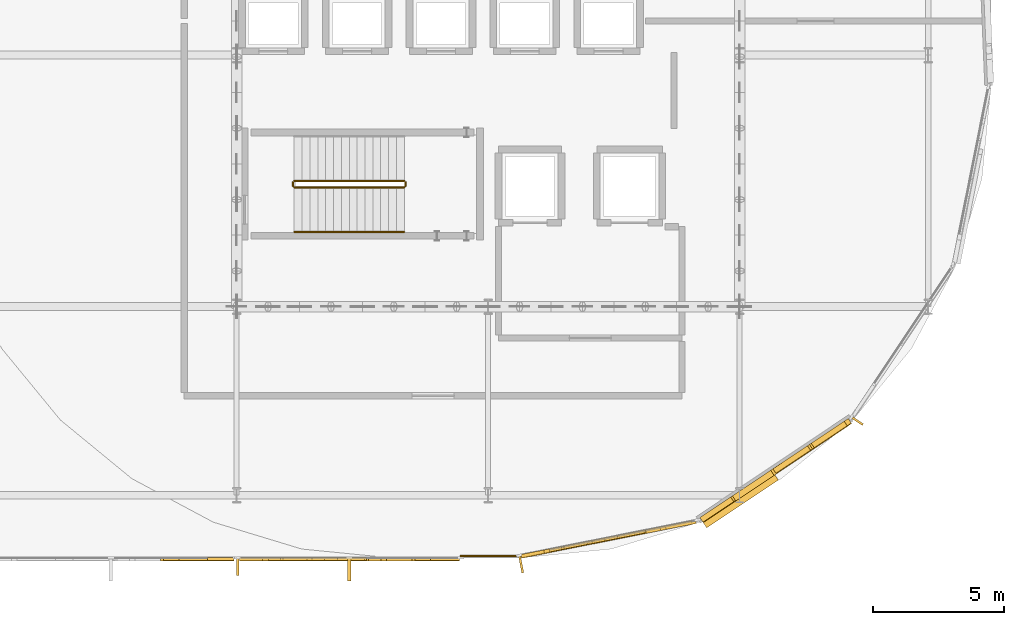
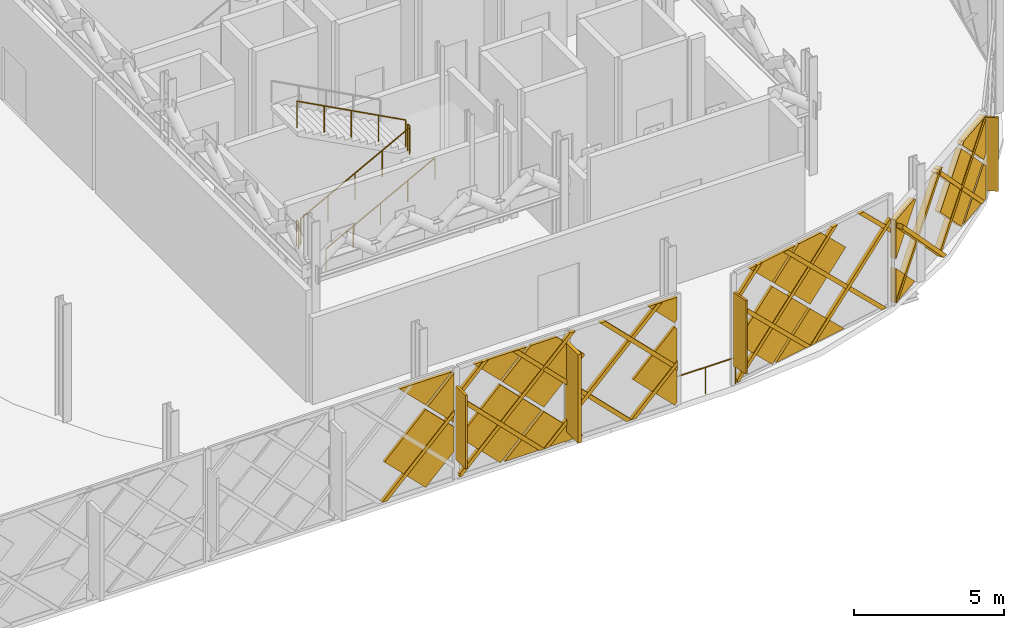
# One storey, part 70 of 77: 37 coverings, 6 railings, 3 shading devices.
"""IFC4 building model written with IfcOpenShell, lengths in metres."""

from ifc_helpers import new_model, si_unit, direction, frame, origin, origin_2d, place, context, subcontext, project, spatial, polyline, rectangle, circle, outline, extrude, material, layer, layer_set, type_object, element, save


model = new_model("IFC4")

# Units and contexts
model_context = context("Model", 3, precision=1e-05, world=origin(), true_north=direction((0.0, 1.0)))
body_context = subcontext(model_context, "Body", "Model", "MODEL_VIEW")
ifc_project = project(units=[si_unit("LENGTHUNIT", "METRE"), si_unit("AREAUNIT", "SQUARE_METRE"), si_unit("VOLUMEUNIT", "CUBIC_METRE"), si_unit("PLANEANGLEUNIT", "RADIAN"), si_unit("MASSUNIT", "GRAM", prefix="KILO")], contexts=[model_context])

# Site, building, storey
site_placement = place(None, origin())
site = spatial("IfcSite", under=ifc_project, at=site_placement, CompositionType="ELEMENT")
building_placement = place(site_placement, origin())
building = spatial("IfcBuilding", under=site, at=building_placement, Name="Zevrakil Square Congress Hotel", CompositionType="ELEMENT")
storey_placement = place(building_placement, frame((0.0, 0.0, 9.89990234375)))
storey = spatial("IfcBuildingStorey", under=building, at=storey_placement, Name="L03", CompositionType="ELEMENT", Elevation=9.89990234375)

# Coverings
ifc_material_1 = material(Name="Architectural White Fibre-C GRC", Category="concrete")
ifc_layer_1 = layer(ifc_material_1, 0.06494140625)
ifc_layer_set_1 = layer_set([ifc_layer_1], Name="Architectural White Fibre-C GRC")
covering_type_1 = type_object("IfcCoveringType", Name="COV-DIA-WHITE", PredefinedType="CLADDING", material=ifc_layer_set_1)
covering_1_placement = place(storey_placement, frame((135.60302734375, 7.10498046875, 0.090087890625), z_axis=(2.4783e-08, -0.999999819732, 0.00060044665), x_axis=(-0.707106714542, 0.000424562414, 0.707106720373)))
element("IfcCovering", 1, at=covering_1_placement, inside=storey, type_object=covering_type_1, Name="L03 45-degree white GRC diamond facade cassette 268", PredefinedType="CLADDING", context=body_context, shape_type="SweptSolid", body=[
    extrude(outline(polyline([(0.0, 0.0), (2.2487240722289403, 2.220446049250313e-16), (2.2485518626367096, -2.2485514387855567), (0.7014103402879658, -2.2485514130810778), (3.1733849004123016e-07, -1.547141522351359), (0.0, 0.0)])), origin(), (0.0, 0.0, -1.0), 0.1201171875),
])
covering_2_placement = place(storey_placement, frame((135.693115234375, 7.10693359375, 3.360107421875), z_axis=(0.000121595307, -0.99999980779, 0.000607976537), x_axis=(0.707106687093, 0.000515885229, 0.707106687093)))
element("IfcCovering", 2, at=covering_2_placement, inside=storey, type_object=covering_type_1, Name="L03 45-degree white GRC diamond facade cassette 270", PredefinedType="CLADDING", context=body_context, shape_type="SweptSolid", body=[
    extrude(outline(polyline([(0.0, 0.0), (1.4197380230239411, 0.0), (-2.518970844134216e-07, -1.4197379180667962), (0.0, 0.0)])), origin(), (0.0, 0.0, -1.0), 0.1201171875),
])
covering_3_placement = place(storey_placement, frame((135.60302734375, 7.107177734375, 3.4501953125), z_axis=(0.0, -0.999999883142, 0.000483442051), x_axis=(-0.707106739871, 0.000341845173, 0.707106739871)))
element("IfcCovering", 3, at=covering_3_placement, inside=storey, type_object=covering_type_1, Name="L03 45-degree white GRC diamond facade cassette 272", PredefinedType="CLADDING", context=body_context, shape_type="SweptSolid", body=[
    extrude(outline(polyline([(0.0, 0.0), (1.4283695921344428, 0.0), (1.6691658821788025e-07, -1.4283695921344328), (0.0, 0.0)])), origin(), (0.0, 0.0, -1.0), 0.1201171875),
])
covering_4_placement = place(storey_placement, frame((140.1630859375, 7.10595703125, 1.590087890625), z_axis=(0.0, -0.999999790873, 0.000646725815), x_axis=(0.707106707249, -0.000457304257, -0.707106707249)))
element("IfcCovering", 4, at=covering_4_placement, inside=storey, type_object=covering_type_1, Name="L03 45-degree white GRC diamond facade cassette 294", PredefinedType="CLADDING", context=body_context, shape_type="SweptSolid", body=[
    extrude(outline(polyline([(0.0, 0.0), (2.1354765131557993, 0.0), (4.465861884739297e-07, -2.1354765131557527), (0.0, 0.0)])), origin(), (0.0, 0.0, -1.0), 0.1201171875),
])
covering_5_placement = place(storey_placement, frame((138.48291015625, 7.10693359375, 3.27001953125), z_axis=(0.0, -0.999999812555, 0.000612282237), x_axis=(0.707161000838, -0.000432915721, -0.707052424844)))
element("IfcCovering", 5, at=covering_5_placement, inside=storey, type_object=covering_type_1, Name="L03 45-degree white GRC diamond facade cassette 295", PredefinedType="CLADDING", context=body_context, shape_type="SweptSolid", body=[
    extrude(outline(polyline([(0.0, 0.0), (2.2485514454845923, 0.0), (2.248379222880032, -2.2487240657380214), (0.013983748838055643, -2.248379882955194), (-0.0001711092764935529, -2.234222853853795), (0.0, 0.0)])), origin(), (0.0, 0.0, -1.0), 0.1201171875),
])
covering_6_placement = place(storey_placement, frame((145.202880859375, 7.10498046875, 0.090087890625), z_axis=(4.2163e-08, -0.999999810118, 0.000616249235), x_axis=(-0.707052423992, 0.000435757697, 0.707160999944)))
element("IfcCovering", 6, at=covering_6_placement, inside=storey, type_object=covering_type_1, Name="L03 45-degree white GRC diamond facade cassette 296", PredefinedType="CLADDING", context=body_context, shape_type="SweptSolid", body=[
    extrude(outline(polyline([(0.0, 0.0), (2.248551445484405, 0.0), (2.248724489828706, -2.2483787987231083), (2.1114808907743323, -2.248561995108615), (-0.0001620966237307203, -0.13724362559339198), (0.0, 0.0)])), origin(), (0.0, 0.0, -1.0), 0.1201171875),
])
covering_7_placement = place(storey_placement, frame((141.7529296875, 7.10693359375, 3.360107421875), z_axis=(0.0, -0.99999984427, 0.000558085713), x_axis=(-0.707052454844, -0.000394656509, -0.707160993229)))
element("IfcCovering", 7, at=covering_7_placement, inside=storey, type_object=covering_type_1, Name="L03 45-degree white GRC diamond facade cassette 297", PredefinedType="CLADDING", context=body_context, shape_type="SweptSolid", body=[
    extrude(outline(polyline([(0.0, 0.0), (2.248551347367504, 0.0), (2.24837847274146, -2.2487239675782313), (0.692605284023527, -2.2486046114861047), (-0.00029231210577995714, -1.5556005419383874), (0.0, 0.0)])), origin(), (0.0, 0.0, -1.0), 0.1201171875),
])
covering_8_placement = place(storey_placement, frame((138.48291015625, 7.107177734375, 3.4501953125), z_axis=(0.0, -0.999999883142, 0.000483442051), x_axis=(-0.707106739871, 0.000341845173, 0.707106739871)))
element("IfcCovering", 8, at=covering_8_placement, inside=storey, type_object=covering_type_1, Name="L03 45-degree white GRC diamond facade cassette 298", PredefinedType="CLADDING", context=body_context, shape_type="SweptSolid", body=[
    extrude(outline(polyline([(0.0, 0.0), (1.4283695921344428, 0.0), (1.6691658821788025e-07, -1.4283695921344328), (0.0, 0.0)])), origin(), (0.0, 0.0, -1.0), 0.1201171875),
])
covering_9_placement = place(storey_placement, frame((145.202880859375, 7.107177734375, 3.4501953125), z_axis=(-3.9218242e-05, -0.999999880542, 0.00048721504), x_axis=(-0.707021262207, 0.000372282848, 0.707192191835)))
element("IfcCovering", 9, at=covering_9_placement, inside=storey, type_object=covering_type_1, Name="L03 45-degree white GRC diamond facade cassette 299", PredefinedType="CLADDING", context=body_context, shape_type="SweptSolid", body=[
    extrude(outline(polyline([(0.0, 0.0), (1.4281969684267946, -1.1102230246251565e-16), (0.6455713817942343, -0.7828149016438883), (-0.00015604545895482602, -0.13724363874008658), (0.0, 0.0)])), origin(), (0.0, 0.0, -1.0), 0.1201171875),
])
covering_10_placement = place(storey_placement, frame((150.868896484375, 7.853271484375, 1.590087890625), z_axis=(0.195058894266, -0.98079136516, 0.00057078403), x_axis=(0.693609627274, 0.137532945708, -0.707099974401)))
element("IfcCovering", 10, at=covering_10_placement, inside=storey, type_object=covering_type_1, Name="L03 45-degree white GRC diamond facade cassette 2079", PredefinedType="CLADDING", context=body_context, shape_type="SweptSolid", body=[
    extrude(outline(polyline([(0.0, 0.0), (2.135496846686384, 0.0), (-0.00010681681684965305, -2.1355632441343193), (0.0, 0.0)])), origin(), (0.0, 0.0, -1.0), 0.1201171875),
])
covering_11_placement = place(storey_placement, frame((149.220947265625, 7.526611328125, 3.27001953125), z_axis=(0.195079468912, -0.980787246059, 0.000615448987), x_axis=(0.693619077621, 0.137517756022, -0.707093658534)))
element("IfcCovering", 11, at=covering_11_placement, inside=storey, type_object=covering_type_1, Name="L03 45-degree white GRC diamond facade cassette 2080", PredefinedType="CLADDING", context=body_context, shape_type="SweptSolid", body=[
    extrude(outline(polyline([(0.0, 0.0), (2.2484204226903346, 2.220446049250313e-16), (2.2484102488848645, -2.2486930573161157), (0.013903677204869958, -2.248590339727496), (-0.0002520063888247215, -2.234434136081819), (0.0, 0.0)])), origin(), (0.0, 0.0, -1.0), 0.1201171875),
])
covering_12_placement = place(storey_placement, frame((152.427978515625, 8.16455078125, 3.360107421875), z_axis=(0.195080205035, -0.980787117614, 0.000586110403), x_axis=(-0.693389009331, -0.13833883113, -0.707159140181)))
element("IfcCovering", 12, at=covering_12_placement, inside=storey, type_object=covering_type_1, Name="L03 45-degree white GRC diamond facade cassette 2081", PredefinedType="CLADDING", context=body_context, shape_type="SweptSolid", body=[
    extrude(outline(polyline([(0.0, 0.0), (2.2485575447443593, 0.0), (2.2484286045164183, -2.248762385850681), (0.692661605465708, -2.248653077623793), (-0.00025632288126697933, -1.5556322679938157), (0.0, 0.0)])), origin(), (0.0, 0.0, -1.0), 0.1201171875),
])
covering_13_placement = place(storey_placement, frame((149.220947265625, 7.526611328125, 3.4501953125), z_axis=(0.195070079682, -0.98078915528, 0.000544883594), x_axis=(-0.693686293513, -0.137575133352, 0.707016554881)))
element("IfcCovering", 13, at=covering_13_placement, inside=storey, type_object=covering_type_1, Name="L03 45-degree white GRC diamond facade cassette 2082", PredefinedType="CLADDING", context=body_context, shape_type="SweptSolid", body=[
    extrude(outline(polyline([(0.0, 0.0), (1.4285517908347383, 0.0), (9.179241477141886e-06, -1.4281785432929919), (0.0, 0.0)])), origin(), (0.0, 0.0, -1.0), 0.1201171875),
])
covering_14_placement = place(storey_placement, frame((155.77587890625, 9.354248046875, 0.080078125), z_axis=(0.55569868343, -0.831383415128, 0.000768299745), x_axis=(-0.831383660505, -0.55569884744, 0.0)))
element("IfcCovering", 14, at=covering_14_placement, inside=storey, type_object=covering_type_1, Name="L03 45-degree white GRC diamond facade cassette 2089", PredefinedType="CLADDING", context=body_context, shape_type="SweptSolid", body=[
    extrude(outline(polyline([(0.0, 0.0), (1.4098414442180291, -1.0842021724855044e-19), (1.4097047186153069, -1.4099125254998153), (0.0, 0.0)])), origin(), (0.0, 0.0, -1.0), 0.2099609375),
])
covering_15_placement = place(storey_placement, frame((160.107421875, 12.24951171875, 1.590087890625), z_axis=(0.555646371289, -0.83141852504, 0.000588466492), x_axis=(0.588259047676, 0.392639778992, -0.706954946782)))
element("IfcCovering", 15, at=covering_15_placement, inside=storey, type_object=covering_type_1, Name="L03 45-degree white GRC diamond facade cassette 2090", PredefinedType="CLADDING", context=body_context, shape_type="SweptSolid", body=[
    extrude(outline(polyline([(0.0, 0.0), (0.26280452104348384, 2.7755575615628914e-17), (1.1989671748778223, -0.9365658268783337), (-0.0003474997953980541, -2.135365949549591), (0.0, 0.0)])), origin(), (0.0, 0.0, -1.0), 0.2099609375),
])
covering_16_placement = place(storey_placement, frame((158.7099609375, 11.317138671875, 3.27001953125), z_axis=(0.555567839007, -0.831470949881, 0.000660125593), x_axis=(0.588256282718, 0.392496621528, -0.707036737328)))
element("IfcCovering", 16, at=covering_16_placement, inside=storey, type_object=covering_type_1, Name="L03 45-degree white GRC diamond facade cassette 2091", PredefinedType="CLADDING", context=body_context, shape_type="SweptSolid", body=[
    extrude(outline(polyline([(0.0, 0.0), (2.248601333025392, -2.220446049250313e-16), (2.2483758078020917, -2.248727612825086), (-0.00039814161424911454, -2.2485549623099477), (0.0, 0.0)])), origin(), (0.0, 0.0, -1.0), 0.2099609375),
])
covering_17_placement = place(storey_placement, frame((155.841552734375, 9.400390625, 3.360107421875), z_axis=(0.555600404186, -0.831449245812, 0.000585240867), x_axis=(-0.587724891452, -0.393233855908, -0.707069011154)))
element("IfcCovering", 17, at=covering_17_placement, inside=storey, type_object=covering_type_1, Name="L03 45-degree white GRC diamond facade cassette 2092", PredefinedType="CLADDING", context=body_context, shape_type="SweptSolid", body=[
    extrude(outline(polyline([(0.0, 0.0), (2.1072769180580178, 2.220446049250313e-16), (0.9865991172282518, -1.1207957944019729), (7.605770696658687e-05, -0.1343778178286662), (0.0, 0.0)])), origin(), (0.0, 0.0, -1.0), 0.2099609375),
])
covering_18_placement = place(storey_placement, frame((160.107421875, 12.249755859375, 1.77001953125), z_axis=(0.555604586869, -0.831446446624, 0.000591140566), x_axis=(-0.588129215219, -0.392507868765, 0.707136195626)))
element("IfcCovering", 18, at=covering_18_placement, inside=storey, type_object=covering_type_1, Name="L03 45-degree white GRC diamond facade cassette 2093", PredefinedType="CLADDING", context=body_context, shape_type="SweptSolid", body=[
    extrude(outline(polyline([(0.0, 0.0), (2.24863035804064, 0.0), (2.2487105689609637, -0.13423425322746918), (1.0602842442694722, -1.322759872886281), (9.818172988193541e-05, -0.26266102917510104), (0.0, 0.0)])), origin(), (0.0, 0.0, -1.0), 0.2099609375),
])
ifc_material_2 = material(Name="Anodised Champagne Aluminium", Category="aluminium")
ifc_layer_2 = layer(ifc_material_2, 0.0849609375)
ifc_layer_set_2 = layer_set([ifc_layer_2], Name="Anodised Champagne Aluminium")
covering_type_2 = type_object("IfcCoveringType", Name="COV-DIAGRID-45", PredefinedType="MOLDING", material=ifc_layer_set_2)
covering_19_placement = place(storey_placement, frame((134.109130859375, 7.080078125, 0.080078125), z_axis=(-0.000280843086, -0.999999582197, 0.000869904419), x_axis=(-0.999999960564, 0.00028084298, -2.44307e-07)))
element("IfcCovering", 19, at=covering_19_placement, inside=storey, type_object=covering_type_2, Name="L03 45-degree aluminium diagrid rib 276", PredefinedType="MOLDING", context=body_context, shape_type="SweptSolid", body=[
    extrude(outline(polyline([(0.0, 0.0), (0.21215819475823994, 0.0), (-2.5878907270571463, -2.8000492553321816), (-2.5878907437906666, -2.5878909201018168), (0.0, 0.0)])), origin(), (0.0, 0.0, -1.0), 0.14501953125),
])
covering_20_placement = place(storey_placement, frame((136.903076171875, 7.08203125, 3.35400390625), z_axis=(0.000366210888, -0.99999986589, 0.000366210888), x_axis=(-1.3411e-07, 0.000366210864, 0.999999932945)))
element("IfcCovering", 20, at=covering_20_placement, inside=storey, type_object=covering_type_2, Name="L03 45-degree aluminium diagrid rib 300", PredefinedType="MOLDING", context=body_context, shape_type="SweptSolid", body=[
    extrude(outline(polyline([(0.0, 0.0), (0.21215818889868723, 0.0), (1.1062012460515567, -0.8937990364120078), (1.10620121759893, -1.105957225310693), (0.0, 0.0)])), origin(), (0.0, 0.0, -1.0), 0.14501953125),
])
covering_21_placement = place(storey_placement, frame((136.989013671875, 7.080078125, 0.080078125), z_axis=(0.000183960933, -0.999999888701, 0.000434460926), x_axis=(-0.999999983079, -0.000183960915, 7.9924e-08)))
element("IfcCovering", 21, at=covering_21_placement, inside=storey, type_object=covering_type_2, Name="L03 45-degree aluminium diagrid rib 301", PredefinedType="MOLDING", context=body_context, shape_type="SweptSolid", body=[
    extrude(outline(polyline([(0.0, 0.0), (0.08593749854586766, 1.137373342260413e-24), (0.08593750863391077, -0.12622069121252277), (-4.167968823433683, -4.380127706501899), (-4.380127022968794, -4.380127706501899), (0.0, 0.0)])), origin(), (0.0, 0.0, -1.0), 0.14501953125),
])
covering_22_placement = place(storey_placement, frame((140.34912109375, 7.080078125, 0.080078125), z_axis=(0.0, -0.999999812042, 0.00061312067), x_axis=(-1.0, 0.0, 0.0)))
element("IfcCovering", 22, at=covering_22_placement, inside=storey, type_object=covering_type_2, Name="L03 45-degree aluminium diagrid rib 302", PredefinedType="MOLDING", context=body_context, shape_type="SweptSolid", body=[
    extrude(outline(polyline([(0.0, 0.0), (0.212158203125, 0.0), (-4.167724609375, -4.380127776407226), (-4.3798828125, -4.380127776407226), (0.0, 0.0)])), origin(), (0.0, 0.0, -1.0), 0.14501953125),
])
covering_23_placement = place(storey_placement, frame((143.708984375, 7.080078125, 0.080078125), z_axis=(0.000287883457, -0.999999917218, 0.000287552556), x_axis=(-0.999999958562, -0.000287883445, 8.2782e-08)))
element("IfcCovering", 23, at=covering_23_placement, inside=storey, type_object=covering_type_2, Name="L03 45-degree aluminium diagrid rib 303", PredefinedType="MOLDING", context=body_context, shape_type="SweptSolid", body=[
    extrude(outline(polyline([(0.0, 0.0), (0.21215819433349434, -2.8078904387053947e-24), (-1.5910645190562367, -1.8032228625119866), (-1.5910645366392484, -1.5908205275433878), (0.0, 0.0)])), origin(), (0.0, 0.0, -1.0), 0.14501953125),
])
covering_24_placement = place(storey_placement, frame((136.903076171875, 7.081787109375, 3.154052734375), z_axis=(0.000287317256, -0.999999586254, 0.000863099624), x_axis=(8.2646e-08, 0.000863099684, 0.999999627529)))
element("IfcCovering", 24, at=covering_24_placement, inside=storey, type_object=covering_type_2, Name="L03 45-degree aluminium diagrid rib 304", PredefinedType="MOLDING", context=body_context, shape_type="SweptSolid", body=[
    extrude(outline(polyline([(0.0, 0.0), (0.212158334820002, 0.0), (-3.0739746678474664, -3.286133202189314), (-3.0739746854017027, -3.07373086720635), (0.0, 0.0)])), origin(), (0.0, 0.0, -1.0), 0.14501953125),
])
covering_25_placement = place(storey_placement, frame((138.956787109375, 7.082763671875, 4.460205078125), z_axis=(0.0, -0.999999812042, 0.00061312067), x_axis=(1.0, 0.0, 0.0)))
element("IfcCovering", 25, at=covering_25_placement, inside=storey, type_object=covering_type_2, Name="L03 45-degree aluminium diagrid rib 305", PredefinedType="MOLDING", context=body_context, shape_type="SweptSolid", body=[
    extrude(outline(polyline([(0.0, 0.0), (0.21240234375, 0.0), (4.59228515625, -4.380127776407226), (4.380126953125, -4.380127776407226), (0.0, 0.0)])), origin(), (0.0, 0.0, -1.0), 0.14501953125),
])
covering_26_placement = place(storey_placement, frame((142.31689453125, 7.082763671875, 4.460205078125), z_axis=(0.000257159278, -0.999999567685, 0.000893588211), x_axis=(0.999999966935, 0.000257159175, -2.29795e-07)))
element("IfcCovering", 26, at=covering_26_placement, inside=storey, type_object=covering_type_2, Name="L03 45-degree aluminium diagrid rib 306", PredefinedType="MOLDING", context=body_context, shape_type="SweptSolid", body=[
    extrude(outline(polyline([(0.0, 0.0), (0.21215819610989403, 5.6157808774107894e-24), (2.983154395514336, -2.770996514558008), (2.9831543814841233, -2.983154851140026), (0.0, 0.0)])), origin(), (0.0, 0.0, -1.0), 0.14501953125),
])
covering_27_placement = place(storey_placement, frame((147.676025390625, 7.19384765625, 3.35400390625), z_axis=(0.195118205875, -0.980779572144, 0.000562674008), x_axis=(-0.00010978796, 0.00055185926, 0.999999841699)))
element("IfcCovering", 27, at=covering_27_placement, inside=storey, type_object=covering_type_2, Name="L03 45-degree aluminium diagrid rib 2083", PredefinedType="MOLDING", context=body_context, shape_type="SweptSolid", body=[
    extrude(outline(polyline([(0.0, 0.0), (0.21215816954013744, 0.0), (1.1062013469878151, -0.8940136173972667), (1.1062012798180847, -1.106073995756482), (0.0, 0.0)])), origin(), (0.0, 0.0, -1.0), 0.14501953125),
])
covering_28_placement = place(storey_placement, frame((147.760986328125, 7.208740234375, 0.080078125), z_axis=(0.195104398096, -0.980782304556, 0.000587292915), x_axis=(-0.980782473666, -0.195104431904, -2.79415e-07)))
element("IfcCovering", 28, at=covering_28_placement, inside=storey, type_object=covering_type_2, Name="L03 45-degree aluminium diagrid rib 2084", PredefinedType="MOLDING", context=body_context, shape_type="SweptSolid", body=[
    extrude(outline(polyline([(0.0, 0.0), (0.0861359720922798, 1.6940658945086007e-21), (0.08613593682426511, -0.12622068135741457), (-4.16775593545762, -4.380126546025551), (-4.379816315476081, -4.380126418416948), (0.0, 0.0)])), origin(), (0.0, 0.0, -1.0), 0.14501953125),
])
covering_29_placement = place(storey_placement, frame((151.056396484375, 7.864013671875, 0.080078125), z_axis=(0.195114311387, -0.980780349182, 0.000558704592), x_axis=(-0.980780502291, -0.195114341669, 3.12295e-07)))
element("IfcCovering", 29, at=covering_29_placement, inside=storey, type_object=covering_type_2, Name="L03 45-degree aluminium diagrid rib 2085", PredefinedType="MOLDING", context=body_context, shape_type="SweptSolid", body=[
    extrude(outline(polyline([(0.0, 0.0), (0.21206037883162496, 3.3881317890172014e-21), (-3.3596365311679466, -3.571778950414159), (-3.359636597423854, -3.3596207804018507), (0.0, 0.0)])), origin(), (0.0, 0.0, -1.0), 0.14501953125),
])
covering_30_placement = place(storey_placement, frame((147.676025390625, 7.193603515625, 3.154052734375), z_axis=(0.195639602434, -0.980675172393, 0.001162846036), x_axis=(-6.717488e-06, 0.001184419721, 0.999999298552)))
element("IfcCovering", 30, at=covering_30_placement, inside=storey, type_object=covering_type_2, Name="L03 45-degree aluminium diagrid rib 2086", PredefinedType="MOLDING", context=body_context, shape_type="SweptSolid", body=[
    extrude(outline(polyline([(0.0, 0.0), (0.21215834347205634, 0.0), (-3.0732367831580687, -3.2868842326070324), (-3.073284543913137, -3.074776189475972), (0.0, 0.0)])), origin(), (0.0, 0.0, -1.0), 0.14501953125),
])
covering_31_placement = place(storey_placement, frame((149.6904296875, 7.59521484375, 4.460205078125), z_axis=(0.194566091186, -0.980889406454, 9.2020154e-05), x_axis=(0.980889410606, 0.19456609201, 0.0)))
element("IfcCovering", 31, at=covering_31_placement, inside=storey, type_object=covering_type_2, Name="L03 45-degree aluminium diagrid rib 2087", PredefinedType="MOLDING", context=body_context, shape_type="SweptSolid", body=[
    extrude(outline(polyline([(0.0, 0.0), (0.21206041195957603, 0.0), (4.592073337466408, -4.38012697166982), (4.380012925506832, -4.38012697166982), (0.0, 0.0)])), origin(), (0.0, 0.0, -1.0), 0.14501953125),
])
covering_32_placement = place(storey_placement, frame((152.98583984375, 8.25048828125, 4.460205078125), z_axis=(0.195653725609, -0.980672371754, 0.001148448045), x_axis=(0.980673018471, 0.195653854662, 2.2907e-08)))
element("IfcCovering", 32, at=covering_32_placement, inside=storey, type_object=covering_type_2, Name="L03 45-degree aluminium diagrid rib 2088", PredefinedType="MOLDING", context=body_context, shape_type="SweptSolid", body=[
    extrude(outline(polyline([(0.0, 0.0), (0.2121080485911486, -1.3552527156068805e-20), (1.3918699187683294, -1.17968830984862), (1.3918221468540717, -1.391846648025131), (0.0, 0.0)])), origin(), (0.0, 0.0, -1.0), 0.14501953125),
])
covering_33_placement = place(storey_placement, frame((154.689208984375, 8.597900390625, 0.080078125), z_axis=(0.554967160228, -0.831871218775, 0.001313941402), x_axis=(-0.831871937927, -0.554967637694, 1.457795e-06)))
element("IfcCovering", 33, at=covering_33_placement, inside=storey, type_object=covering_type_2, Name="L03 45-degree aluminium diagrid rib 2094", PredefinedType="MOLDING", context=body_context, shape_type="SweptSolid", body=[
    extrude(outline(polyline([(0.0, 0.0), (0.08592704276438104, -6.776263578034403e-21), (0.08613032050312017, -0.12622077189850034), (-3.1629118243866303, -3.3750075681396554), (-3.374851751279138, -3.375007965525804), (0.0, 0.0)])), origin(), (0.0, 0.0, -1.0), 0.235107421875),
])
covering_34_placement = place(storey_placement, frame((157.48291015625, 10.464599609375, 0.080078125), z_axis=(0.555282472306, -0.831661252382, 0.000968109876), x_axis=(-0.831661642478, -0.555282731975, 6.77953e-07)))
element("IfcCovering", 34, at=covering_34_placement, inside=storey, type_object=covering_type_2, Name="L03 45-degree aluminium diagrid rib 2095", PredefinedType="MOLDING", context=body_context, shape_type="SweptSolid", body=[
    extrude(outline(polyline([(0.0, 0.0), (0.21214297957125366, -1.3552527156068805e-20), (-3.1629159219794682, -3.37500372821173), (-3.3596883742219847, -3.3750039904240685), (-3.3596883846494787, -3.359623138256827), (0.0, 0.0)])), origin(), (0.0, 0.0, -1.0), 0.235107421875),
])
covering_35_placement = place(storey_placement, frame((154.616455078125, 8.5517578125, 3.154052734375), z_axis=(-0.554886201981, 0.831926230425, 0.000223568432), x_axis=(0.000124055041, -0.000185992447, 0.999999975009)))
element("IfcCovering", 35, at=covering_35_placement, inside=storey, type_object=covering_type_2, Name="L03 45-degree aluminium diagrid rib 2096", PredefinedType="MOLDING", context=body_context, shape_type="SweptSolid", body=[
    extrude(outline(polyline([(0.0, 0.0), (0.21215819782286477, 0.0), (-3.073974686197999, 3.2860842839872837), (-3.07397469680227, 3.0739412577012186), (0.0, 0.0)])), origin(), (0.0, 0.0, -1.0), 0.235107421875),
])
covering_36_placement = place(storey_placement, frame((157.159912109375, 10.251220703125, 3.455078125), z_axis=(0.55602744714, -0.831163181853, 0.001114970857), x_axis=(0.831163698488, 0.556027792755, 0.0)))
element("IfcCovering", 36, at=covering_36_placement, inside=storey, type_object=covering_type_2, Name="L03 45-degree aluminium diagrid rib 2097", PredefinedType="MOLDING", context=body_context, shape_type="SweptSolid", body=[
    extrude(outline(polyline([(0.0, 0.0), (0.2120755894064681, 1.3552527156068805e-20), (3.587199771660779, -3.375002097834475), (3.3751241822543108, -3.375002097834475), (0.0, 0.0)])), origin(), (0.0, 0.0, -1.0), 0.235107421875),
])
ifc_material_3 = material(Name="Architectural White Fibre-C GRC", Category="concrete")
ifc_layer_3 = layer(ifc_material_3, 0.139892578125)
ifc_layer_set_3 = layer_set([ifc_layer_3], Name="Architectural White Fibre-C GRC")
covering_type_3 = type_object("IfcCoveringType", Name="COV-FIN-GRC90", PredefinedType="MOLDING", material=ifc_layer_set_3)
covering_37_placement = place(storey_placement, frame((141.1015625, 6.780029296875, 0.469970703125), z_axis=(0.0, 0.0, 1.0), x_axis=(0.0, -1.0, 0.0)))
element("IfcCovering", 37, at=covering_37_placement, inside=storey, type_object=covering_type_3, Name="L03 highland sun-breaker GRC fin 307", PredefinedType="MOLDING", context=body_context, shape_type="SweptSolid", body=[
    extrude(rectangle(XDim=0.89990234375, YDim=0.139892578125, at=origin_2d()), origin(), (0.0, 0.0, 1.0), 3.60009765625),
])

# Railings
ifc_material_4 = material(Name="Steel S355", Category="steel")
railing_type_1 = type_object("IfcRailingType", Name="RLG-STAIR-GUARD-1100", PredefinedType="BALUSTRADE", material=ifc_material_4)
railing_1_placement = place(storey_placement, frame((139.0, 21.35009765625, 0.16015625)))
element("IfcRailing", 38, at=railing_1_placement, inside=storey, type_object=railing_type_1, Name="L03 ST01 stair guard 1", PredefinedType="BALUSTRADE", context=body_context, shape_type="SweptSolid", body=[
    extrude(circle(Radius=0.02392578125, at=origin_2d()), frame((0.0, 0.0, 1.076171875), z_axis=(0.882351521365, 0.0, 0.470590897432), x_axis=(0.0, 1.0, 0.0)), (0.0, 0.0, 1.0), 4.760009765625),
    extrude(circle(Radius=0.02099609375, at=origin_2d()), origin(), (0.0, 0.0, 1.0), 1.052001953125),
    extrude(circle(Radius=0.02099609375, at=origin_2d()), frame((1.050048828125, 0.0, 0.56005859375)), (0.0, 0.0, 1.0), 1.052001953125),
    extrude(circle(Radius=0.02099609375, at=origin_2d()), frame((2.10009765625, 0.0, 1.1201171875)), (0.0, 0.0, 1.0), 1.052001953125),
    extrude(circle(Radius=0.02099609375, at=origin_2d()), frame((3.14990234375, 0.0, 1.679931640625)), (0.0, 0.0, 1.0), 1.052001953125),
    extrude(circle(Radius=0.02099609375, at=origin_2d()), frame((4.199951171875, 0.0, 2.239990234375)), (0.0, 0.0, 1.0), 1.052001953125),
])
railing_2_placement = place(storey_placement, frame((143.25, 21.39990234375, 2.400146484375)))
element("IfcRailing", 39, at=railing_2_placement, inside=storey, type_object=railing_type_1, Name="L03 ST01 stair guard 2", PredefinedType="BALUSTRADE", context=body_context, shape_type="SweptSolid", body=[
    extrude(circle(Radius=0.02392578125, at=origin_2d()), frame((0.0, 0.0, 1.076171875), z_axis=(0.0, 1.0, 0.0), x_axis=(-1.0, 0.0, 0.0)), (0.0, 0.0, 1.0), 0.150146484375),
    extrude(circle(Radius=0.02099609375, at=origin_2d()), origin(), (0.0, 0.0, 1.0), 1.052001953125),
    extrude(circle(Radius=0.02099609375, at=origin_2d()), frame((0.0, 0.150146484375, 0.0)), (0.0, 0.0, 1.0), 1.052001953125),
])
railing_3_placement = place(storey_placement, frame((143.199951171875, 21.60009765625, 2.56005859375)))
element("IfcRailing", 40, at=railing_3_placement, inside=storey, type_object=railing_type_1, Name="L03 ST01 stair guard 3", PredefinedType="BALUSTRADE", context=body_context, shape_type="SweptSolid", body=[
    extrude(circle(Radius=0.02392578125, at=origin_2d()), frame((0.0, 0.0, 1.076171875), z_axis=(-0.882351521365, 0.0, 0.470590897432), x_axis=(0.0, -1.0, 0.0)), (0.0, 0.0, 1.0), 4.760009765625),
    extrude(circle(Radius=0.02099609375, at=origin_2d()), origin(), (0.0, 0.0, 1.0), 1.052001953125),
    extrude(circle(Radius=0.02099609375, at=origin_2d()), frame((-1.050048828125, 0.0, 0.56005859375)), (0.0, 0.0, 1.0), 1.052001953125),
    extrude(circle(Radius=0.02099609375, at=origin_2d()), frame((-2.10009765625, 0.0, 1.1201171875)), (0.0, 0.0, 1.0), 1.052001953125),
    extrude(circle(Radius=0.02099609375, at=origin_2d()), frame((-3.14990234375, 0.0, 1.679931640625)), (0.0, 0.0, 1.0), 1.052001953125),
    extrude(circle(Radius=0.02099609375, at=origin_2d()), frame((-4.199951171875, 0.0, 2.239990234375)), (0.0, 0.0, 1.0), 1.052001953125),
])
railing_4_placement = place(storey_placement, frame((138.949951171875, 21.39990234375, 0.0)))
element("IfcRailing", 41, at=railing_4_placement, inside=storey, type_object=railing_type_1, Name="L03 ST01 stair guard 4", PredefinedType="BALUSTRADE", context=body_context, shape_type="SweptSolid", body=[
    extrude(circle(Radius=0.02392578125, at=origin_2d()), frame((0.0, 0.0, 1.076171875), z_axis=(0.0, 1.0, 0.0), x_axis=(-1.0, 0.0, 0.0)), (0.0, 0.0, 1.0), 0.150146484375),
    extrude(circle(Radius=0.02099609375, at=origin_2d()), origin(), (0.0, 0.0, 1.0), 1.052001953125),
    extrude(circle(Radius=0.02099609375, at=origin_2d()), frame((0.0, 0.150146484375, 0.0)), (0.0, 0.0, 1.0), 1.052001953125),
])
ifc_material_5 = material(Name="Steel S355", Category="steel")
railing_type_2 = type_object("IfcRailingType", Name="RLG-STAIR-HAND-900", PredefinedType="HANDRAIL", material=ifc_material_5)
railing_5_placement = place(storey_placement, frame((139.0, 19.64990234375, 0.16015625)))
element("IfcRailing", 42, at=railing_5_placement, inside=storey, type_object=railing_type_2, Name="L03 ST01 stair handrail 1", PredefinedType="HANDRAIL", context=body_context, shape_type="SweptSolid", body=[
    extrude(circle(Radius=0.02392578125, at=origin_2d()), frame((0.0, 0.0, 0.8759765625), z_axis=(0.882351521365, 0.0, 0.470590897432), x_axis=(0.0, 1.0, 0.0)), (0.0, 0.0, 1.0), 4.760009765625),
    extrude(circle(Radius=0.02099609375, at=origin_2d()), origin(), (0.0, 0.0, 1.0), 0.851806640625),
    extrude(circle(Radius=0.02099609375, at=origin_2d()), frame((1.050048828125, 0.0, 0.56005859375)), (0.0, 0.0, 1.0), 0.851806640625),
    extrude(circle(Radius=0.02099609375, at=origin_2d()), frame((2.10009765625, 0.0, 1.1201171875)), (0.0, 0.0, 1.0), 0.851806640625),
    extrude(circle(Radius=0.02099609375, at=origin_2d()), frame((3.14990234375, 0.0, 1.679931640625)), (0.0, 0.0, 1.0), 0.851806640625),
    extrude(circle(Radius=0.02099609375, at=origin_2d()), frame((4.199951171875, 0.0, 2.239990234375)), (0.0, 0.0, 1.0), 0.851806640625),
])
ifc_material_6 = material(Name="Steel S355", Category="steel")
railing_type_3 = type_object("IfcRailingType", Name="RLG-TERR-1100", PredefinedType="BALUSTRADE", material=ifc_material_6)
railing_6_placement = place(storey_placement, frame((145.35009765625, 7.280029296875, 0.0)))
element("IfcRailing", 43, at=railing_6_placement, inside=storey, type_object=railing_type_3, Name="L03 terrace and void safety balustrade guard 18", PredefinedType="BALUSTRADE", context=body_context, shape_type="SweptSolid", body=[
    extrude(circle(Radius=0.02392578125, at=origin_2d()), frame((0.0, 0.0, 1.076171875), z_axis=(1.0, 0.0, 0.0), x_axis=(0.0, 1.0, 0.0)), (0.0, 0.0, 1.0), 2.2998046875),
    extrude(circle(Radius=0.02099609375, at=origin_2d()), origin(), (0.0, 0.0, 1.0), 1.052001953125),
    extrude(circle(Radius=0.02099609375, at=origin_2d()), frame((1.14990234375, 0.0, 0.0)), (0.0, 0.0, 1.0), 1.052001953125),
    extrude(circle(Radius=0.02099609375, at=origin_2d()), frame((2.2998046875, 0.0, 0.0)), (0.0, 0.0, 1.0), 1.052001953125),
])

# Shading devices
ifc_material_7 = material(Name="Aluminium Anodised Bronze", Category="aluminium")
shading_device_type_1 = type_object("IfcShadingDeviceType", Name="SHD-FIN-50", PredefinedType="JALOUSIE", material=ifc_material_7)
shading_device_placement = place(storey_placement, frame((160.497802734375, 12.43212890625, 0.267578125), z_axis=(0.0, 0.0, 1.0), x_axis=(0.831469612303, -0.55557023302, 0.0)))
element("IfcShadingDevice", 44, at=shading_device_placement, inside=storey, type_object=shading_device_type_1, Name="L03 aluminium solar shading fin 117", PredefinedType="JALOUSIE", context=body_context, shape_type="SweptSolid", body=[
    extrude(rectangle(XDim=0.5, YDim=0.080078125, at=origin_2d()), origin(), (0.0, 0.0, 1.0), 3.0),
])
ifc_material_8 = material(Name="Aluminium Anodised Bronze", Category="aluminium")
shading_device_type_2 = type_object("IfcShadingDeviceType", Name="SHD-FIN-65", PredefinedType="USERDEFINED", material=ifc_material_8)
for number, where, z_axis, x_axis, name in (
    (45, (136.843017578125, 6.85498046875, 0.77001953125), (0.0, 0.0, 1.0), (0.0, -1.0, 0.0), "L03 aluminium solar shading fin 18"),
    (46, (147.66162109375, 6.95947265625, 0.77001953125), (0.0, 0.0, 1.0), (0.195090322016, -0.980785280403, 0.0), "L03 aluminium solar shading fin 116"),
):
    element("IfcShadingDevice", number, at=place(storey_placement, frame(where, z_axis=z_axis, x_axis=x_axis)), inside=storey, type_object=shading_device_type_2, Name=name, ObjectType="SOLAR FIN", PredefinedType="USERDEFINED", context=body_context, shape_type="SweptSolid", body=[
        extrude(rectangle(XDim=0.64990234375, YDim=0.080078125, at=origin_2d()), origin(), (0.0, 0.0, 1.0), 3.0),
    ])

save(model, "model.ifc")
